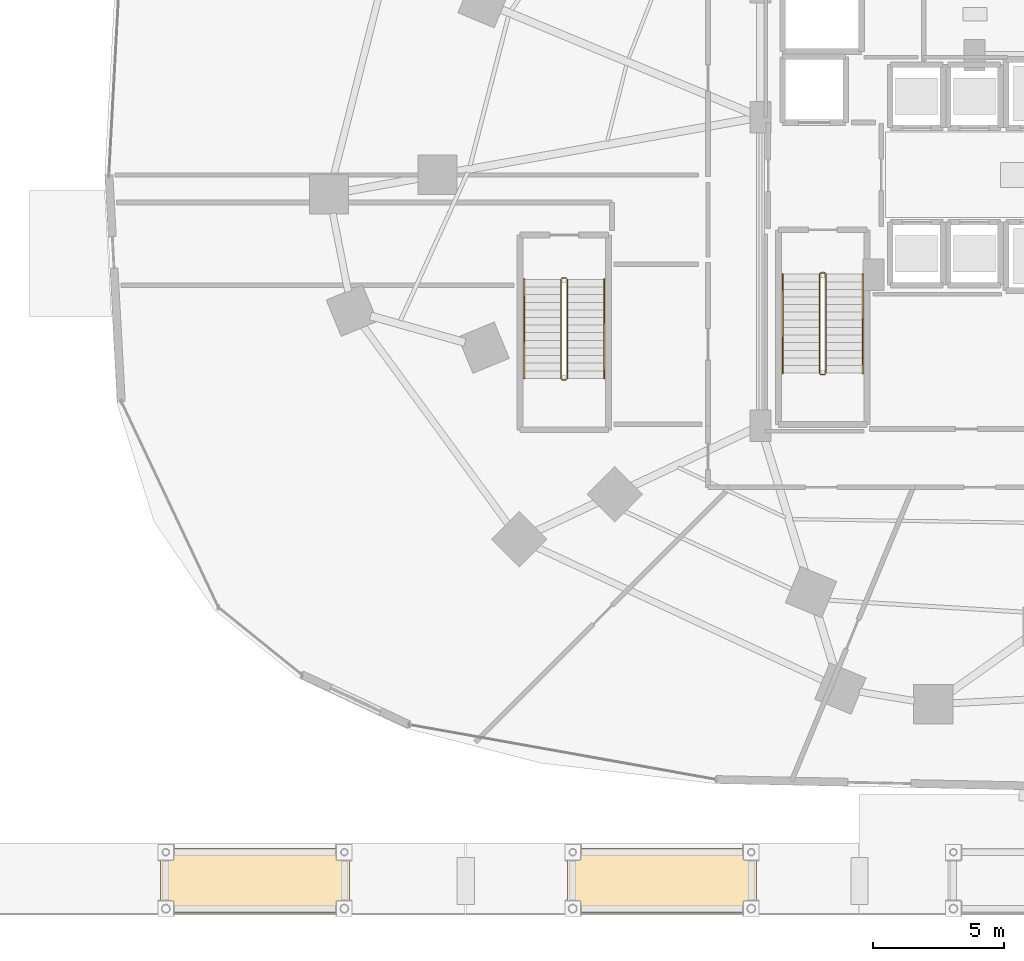
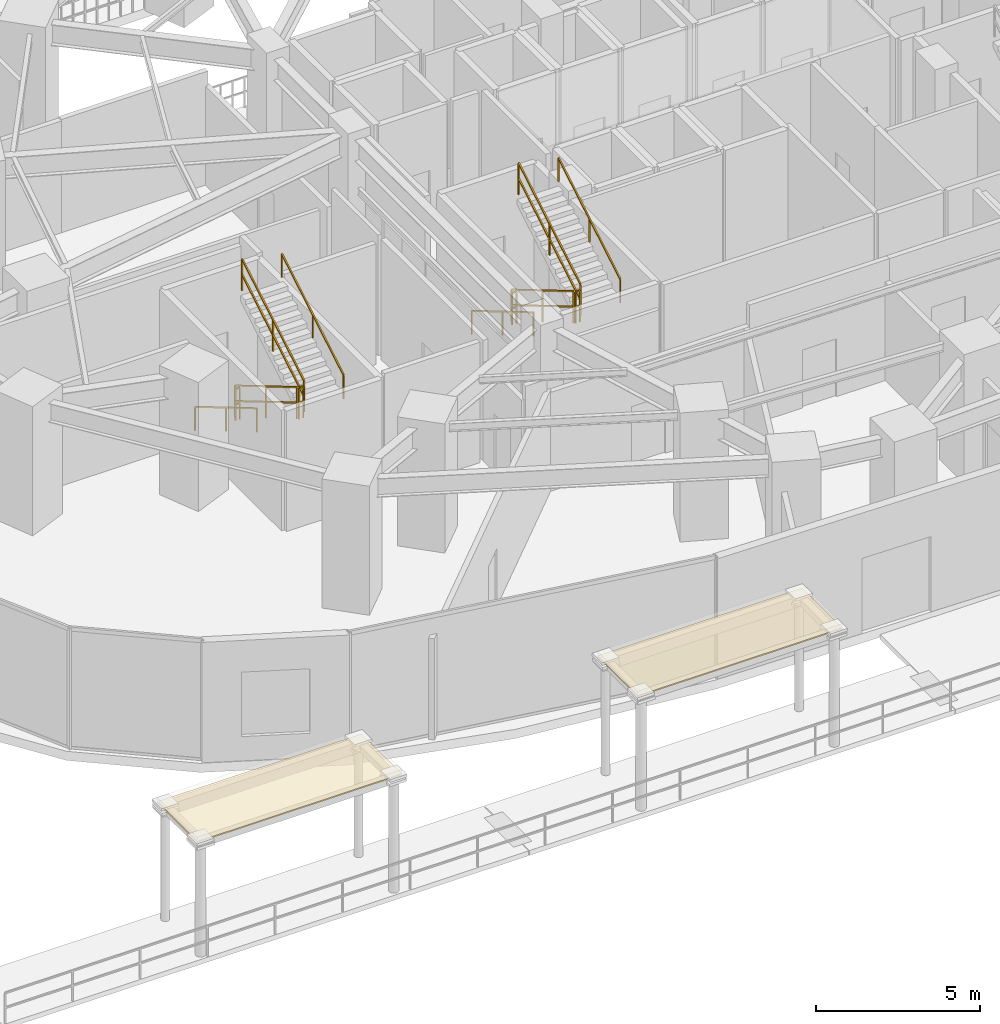
# One storey, part 32 of 36: 12 railings, 2 coverings.
"""IFC4 building model written with IfcOpenShell, lengths in metres."""

from ifc_helpers import new_model, si_unit, direction, frame, origin, origin_2d, place, context, subcontext, project, spatial, polyline, rectangle, outline, extrude, material, layer, layer_set, type_object, element, save


model = new_model("IFC4")

# Units and contexts
model_context = context("Model", 3, precision=1e-05, world=origin(), true_north=direction((0.0, 1.0)))
body_context = subcontext(model_context, "Body", "Model", "MODEL_VIEW")
ifc_project = project(units=[si_unit("LENGTHUNIT", "METRE"), si_unit("AREAUNIT", "SQUARE_METRE"), si_unit("VOLUMEUNIT", "CUBIC_METRE"), si_unit("PLANEANGLEUNIT", "RADIAN"), si_unit("MASSUNIT", "GRAM", prefix="KILO")], contexts=[model_context])

# Site, building, storey
site_placement = place(None, origin())
site = spatial("IfcSite", under=ifc_project, at=site_placement, CompositionType="ELEMENT")
building_placement = place(site_placement, origin())
building = spatial("IfcBuilding", under=site, at=building_placement, Name="Vorneva Point Tower", CompositionType="ELEMENT")
storey_placement = place(building_placement, origin())
storey = spatial("IfcBuildingStorey", under=building, at=storey_placement, Name="L00", CompositionType="ELEMENT", Elevation=0.0)

# Coverings
ifc_material_1 = material(Name="Pale anodised aluminium", Category="aluminium")
ifc_layer = layer(ifc_material_1, 0.030029296875)
ifc_layer_set = layer_set([ifc_layer], Name="Pale anodised aluminium")
covering_type = type_object("IfcCoveringType", Name="COV-SOF-ALU", PredefinedType="CLADDING", material=ifc_layer_set)
covering_1_placement = place(storey_placement, frame((0.0, 0.0, 4.300048828125)))
element("IfcCovering", 1, at=covering_1_placement, inside=storey, type_object=covering_type, Name="Waterfront Canopy Pale-Aluminium Soffit 01", PredefinedType="CLADDING", context=body_context, shape_type="SweptSolid", body=[
    extrude(outline(polyline([(4.39990234375, -2.10009765625), (11.60009765625, -2.10009765625), (11.60009765625, 0.35009765625), (4.39990234375, 0.35009765625), (4.39990234375, -2.10009765625)])), origin(), (0.0, 0.0, 1.0), 0.050048828125),
])
covering_2_placement = place(storey_placement, frame((0.0, 0.0, 4.300048828125)))
element("IfcCovering", 2, at=covering_2_placement, inside=storey, type_object=covering_type, Name="Waterfront Canopy Pale-Aluminium Soffit 02", PredefinedType="CLADDING", context=body_context, shape_type="SweptSolid", body=[
    extrude(outline(polyline([(19.89990234375, -2.10009765625), (27.10009765625, -2.10009765625), (27.10009765625, 0.35009765625), (19.89990234375, 0.35009765625), (19.89990234375, -2.10009765625)])), origin(), (0.0, 0.0, 1.0), 0.050048828125),
])

# Railings
ifc_material_2 = material(Name="Brushed stainless steel S304", Category="steel")
railing_type_1 = type_object("IfcRailingType", Name="RL-HND-920", PredefinedType="HANDRAIL", material=ifc_material_2)
railing_1_placement = place(storey_placement, frame((28.10009765625, 22.219970703125, 0.17138671875)))
element("IfcRailing", 3, at=railing_1_placement, inside=storey, type_object=railing_type_1, Name="L00 ST1 stair handrail 1", PredefinedType="HANDRAIL", context=body_context, shape_type="SweptSolid", body=[
    extrude(rectangle(XDim=0.048095703125, YDim=0.048095703125, at=origin_2d()), frame((0.0, 0.0, 0.8759765625), z_axis=(0.0, -0.860848830602, 0.508860777473), x_axis=(1.0, 0.0, 0.0)), (0.0, 0.0, 1.0), 4.37939453125),
    extrude(rectangle(XDim=0.0419921875, YDim=0.0419921875, at=origin_2d()), origin(), (0.0, 0.0, 1.0), 0.851806640625),
    extrude(rectangle(XDim=0.0419921875, YDim=0.0419921875, at=origin_2d()), frame((0.0, -1.885009765625, 1.1142578125)), (0.0, 0.0, 1.0), 0.851806640625),
    extrude(rectangle(XDim=0.0419921875, YDim=0.0419921875, at=origin_2d()), frame((0.0, -3.77001953125, 2.228515625)), (0.0, 0.0, 1.0), 0.851806640625),
])
railing_2_placement = place(storey_placement, frame((31.14990234375, 18.449951171875, 2.571533203125)))
element("IfcRailing", 4, at=railing_2_placement, inside=storey, type_object=railing_type_1, Name="L00 ST1 stair handrail 2", PredefinedType="HANDRAIL", context=body_context, shape_type="SweptSolid", body=[
    extrude(rectangle(XDim=0.048095703125, YDim=0.048095703125, at=origin_2d()), frame((0.0, 0.0, 0.8759765625), z_axis=(0.0, 0.860848830602, 0.508860777473), x_axis=(-1.0, 0.0, 0.0)), (0.0, 0.0, 1.0), 4.37939453125),
    extrude(rectangle(XDim=0.0419921875, YDim=0.0419921875, at=origin_2d()), origin(), (0.0, 0.0, 1.0), 0.851806640625),
    extrude(rectangle(XDim=0.0419921875, YDim=0.0419921875, at=origin_2d()), frame((0.0, 1.885009765625, 1.1142578125)), (0.0, 0.0, 1.0), 0.851806640625),
    extrude(rectangle(XDim=0.0419921875, YDim=0.0419921875, at=origin_2d()), frame((0.0, 3.77001953125, 2.228515625)), (0.0, 0.0, 1.0), 0.851806640625),
])
railing_3_placement = place(storey_placement, frame((18.25, 22.02001953125, 0.17138671875)))
element("IfcRailing", 5, at=railing_3_placement, inside=storey, type_object=railing_type_1, Name="L00 ST3 stair handrail 1", PredefinedType="HANDRAIL", context=body_context, shape_type="SweptSolid", body=[
    extrude(rectangle(XDim=0.048095703125, YDim=0.048095703125, at=origin_2d()), frame((0.0, 0.0, 0.8759765625), z_axis=(0.0, -0.860848830602, 0.508860777473), x_axis=(1.0, 0.0, 0.0)), (0.0, 0.0, 1.0), 4.37939453125),
    extrude(rectangle(XDim=0.0419921875, YDim=0.0419921875, at=origin_2d()), origin(), (0.0, 0.0, 1.0), 0.851806640625),
    extrude(rectangle(XDim=0.0419921875, YDim=0.0419921875, at=origin_2d()), frame((0.0, -1.885009765625, 1.1142578125)), (0.0, 0.0, 1.0), 0.851806640625),
    extrude(rectangle(XDim=0.0419921875, YDim=0.0419921875, at=origin_2d()), frame((0.0, -3.77001953125, 2.228515625)), (0.0, 0.0, 1.0), 0.851806640625),
])
railing_4_placement = place(storey_placement, frame((21.300048828125, 18.25, 2.571533203125)))
element("IfcRailing", 6, at=railing_4_placement, inside=storey, type_object=railing_type_1, Name="L00 ST3 stair handrail 2", PredefinedType="HANDRAIL", context=body_context, shape_type="SweptSolid", body=[
    extrude(rectangle(XDim=0.048095703125, YDim=0.048095703125, at=origin_2d()), frame((0.0, 0.0, 0.8759765625), z_axis=(0.0, 0.860848830602, 0.508860777473), x_axis=(-1.0, 0.0, 0.0)), (0.0, 0.0, 1.0), 4.37939453125),
    extrude(rectangle(XDim=0.0419921875, YDim=0.0419921875, at=origin_2d()), origin(), (0.0, 0.0, 1.0), 0.851806640625),
    extrude(rectangle(XDim=0.0419921875, YDim=0.0419921875, at=origin_2d()), frame((0.0, 1.885009765625, 1.1142578125)), (0.0, 0.0, 1.0), 0.851806640625),
    extrude(rectangle(XDim=0.0419921875, YDim=0.0419921875, at=origin_2d()), frame((0.0, 3.77001953125, 2.228515625)), (0.0, 0.0, 1.0), 0.851806640625),
])
railing_type_2 = type_object("IfcRailingType", Name="RL-STG-1100", PredefinedType="GUARDRAIL", material=ifc_material_2)
railing_5_placement = place(storey_placement, frame((29.5, 22.219970703125, 0.17138671875)))
element("IfcRailing", 7, at=railing_5_placement, inside=storey, type_object=railing_type_2, Name="L00 ST1 stair guard 1", PredefinedType="GUARDRAIL", context=body_context, shape_type="SweptSolid", body=[
    extrude(rectangle(XDim=0.048095703125, YDim=0.048095703125, at=origin_2d()), frame((0.0, 0.0, 1.17578125), z_axis=(0.0, -0.860848830602, 0.508860777473), x_axis=(1.0, 0.0, 0.0)), (0.0, 0.0, 1.0), 4.37939453125),
    extrude(rectangle(XDim=0.048095703125, YDim=0.048095703125, at=origin_2d()), frame((0.0, 0.0, 0.60009765625), z_axis=(0.0, -0.860848830602, 0.508860777473), x_axis=(1.0, 0.0, 0.0)), (0.0, 0.0, 1.0), 4.37939453125),
    extrude(rectangle(XDim=0.0419921875, YDim=0.0419921875, at=origin_2d()), origin(), (0.0, 0.0, 1.0), 1.15185546875),
    extrude(rectangle(XDim=0.0419921875, YDim=0.0419921875, at=origin_2d()), frame((0.0, -1.885009765625, 1.1142578125)), (0.0, 0.0, 1.0), 1.15185546875),
    extrude(rectangle(XDim=0.0419921875, YDim=0.0419921875, at=origin_2d()), frame((0.0, -3.77001953125, 2.228515625)), (0.0, 0.0, 1.0), 1.15185546875),
])
railing_6_placement = place(storey_placement, frame((29.550048828125, 18.39990234375, 2.39990234375)))
element("IfcRailing", 8, at=railing_6_placement, inside=storey, type_object=railing_type_2, Name="L00 ST1 stair guard 2", PredefinedType="GUARDRAIL", context=body_context, shape_type="SweptSolid", body=[
    extrude(rectangle(XDim=0.048095703125, YDim=0.048095703125, at=origin_2d()), frame((0.0, 0.0, 1.17578125), z_axis=(1.0, 0.0, 0.0), x_axis=(0.0, 1.0, 0.0)), (0.0, 0.0, 1.0), 0.14990234375),
    extrude(rectangle(XDim=0.048095703125, YDim=0.048095703125, at=origin_2d()), frame((0.0, 0.0, 0.60009765625), z_axis=(1.0, 0.0, 0.0), x_axis=(0.0, 1.0, 0.0)), (0.0, 0.0, 1.0), 0.14990234375),
    extrude(rectangle(XDim=0.0419921875, YDim=0.0419921875, at=origin_2d()), origin(), (0.0, 0.0, 1.0), 1.15185546875),
    extrude(rectangle(XDim=0.0419921875, YDim=0.0419921875, at=origin_2d()), frame((0.14990234375, 0.0, 0.0)), (0.0, 0.0, 1.0), 1.15185546875),
])
railing_7_placement = place(storey_placement, frame((29.75, 18.449951171875, 2.571533203125)))
element("IfcRailing", 9, at=railing_7_placement, inside=storey, type_object=railing_type_2, Name="L00 ST1 stair guard 3", PredefinedType="GUARDRAIL", context=body_context, shape_type="SweptSolid", body=[
    extrude(rectangle(XDim=0.048095703125, YDim=0.048095703125, at=origin_2d()), frame((0.0, 0.0, 1.17578125), z_axis=(0.0, 0.860848830602, 0.508860777473), x_axis=(-1.0, 0.0, 0.0)), (0.0, 0.0, 1.0), 4.37939453125),
    extrude(rectangle(XDim=0.048095703125, YDim=0.048095703125, at=origin_2d()), frame((0.0, 0.0, 0.60009765625), z_axis=(0.0, 0.860848830602, 0.508860777473), x_axis=(-1.0, 0.0, 0.0)), (0.0, 0.0, 1.0), 4.37939453125),
    extrude(rectangle(XDim=0.0419921875, YDim=0.0419921875, at=origin_2d()), origin(), (0.0, 0.0, 1.0), 1.15185546875),
    extrude(rectangle(XDim=0.0419921875, YDim=0.0419921875, at=origin_2d()), frame((0.0, 1.885009765625, 1.1142578125)), (0.0, 0.0, 1.0), 1.15185546875),
    extrude(rectangle(XDim=0.0419921875, YDim=0.0419921875, at=origin_2d()), frame((0.0, 3.77001953125, 2.228515625)), (0.0, 0.0, 1.0), 1.15185546875),
])
railing_8_placement = place(storey_placement, frame((29.550048828125, 22.27001953125, 0.0)))
element("IfcRailing", 10, at=railing_8_placement, inside=storey, type_object=railing_type_2, Name="L00 ST1 stair guard 4", PredefinedType="GUARDRAIL", context=body_context, shape_type="SweptSolid", body=[
    extrude(rectangle(XDim=0.048095703125, YDim=0.048095703125, at=origin_2d()), frame((0.0, 0.0, 1.17578125), z_axis=(1.0, 0.0, 0.0), x_axis=(0.0, 1.0, 0.0)), (0.0, 0.0, 1.0), 0.14990234375),
    extrude(rectangle(XDim=0.048095703125, YDim=0.048095703125, at=origin_2d()), frame((0.0, 0.0, 0.60009765625), z_axis=(1.0, 0.0, 0.0), x_axis=(0.0, 1.0, 0.0)), (0.0, 0.0, 1.0), 0.14990234375),
    extrude(rectangle(XDim=0.0419921875, YDim=0.0419921875, at=origin_2d()), origin(), (0.0, 0.0, 1.0), 1.15185546875),
    extrude(rectangle(XDim=0.0419921875, YDim=0.0419921875, at=origin_2d()), frame((0.14990234375, 0.0, 0.0)), (0.0, 0.0, 1.0), 1.15185546875),
])
railing_9_placement = place(storey_placement, frame((19.64990234375, 22.02001953125, 0.17138671875)))
element("IfcRailing", 11, at=railing_9_placement, inside=storey, type_object=railing_type_2, Name="L00 ST3 stair guard 1", PredefinedType="GUARDRAIL", context=body_context, shape_type="SweptSolid", body=[
    extrude(rectangle(XDim=0.048095703125, YDim=0.048095703125, at=origin_2d()), frame((0.0, 0.0, 1.17578125), z_axis=(0.0, -0.860848830602, 0.508860777473), x_axis=(1.0, 0.0, 0.0)), (0.0, 0.0, 1.0), 4.37939453125),
    extrude(rectangle(XDim=0.048095703125, YDim=0.048095703125, at=origin_2d()), frame((0.0, 0.0, 0.60009765625), z_axis=(0.0, -0.860848830602, 0.508860777473), x_axis=(1.0, 0.0, 0.0)), (0.0, 0.0, 1.0), 4.37939453125),
    extrude(rectangle(XDim=0.0419921875, YDim=0.0419921875, at=origin_2d()), origin(), (0.0, 0.0, 1.0), 1.15185546875),
    extrude(rectangle(XDim=0.0419921875, YDim=0.0419921875, at=origin_2d()), frame((0.0, -1.885009765625, 1.1142578125)), (0.0, 0.0, 1.0), 1.15185546875),
    extrude(rectangle(XDim=0.0419921875, YDim=0.0419921875, at=origin_2d()), frame((0.0, -3.77001953125, 2.228515625)), (0.0, 0.0, 1.0), 1.15185546875),
])
railing_10_placement = place(storey_placement, frame((19.699951171875, 18.199951171875, 2.39990234375)))
element("IfcRailing", 12, at=railing_10_placement, inside=storey, type_object=railing_type_2, Name="L00 ST3 stair guard 2", PredefinedType="GUARDRAIL", context=body_context, shape_type="SweptSolid", body=[
    extrude(rectangle(XDim=0.048095703125, YDim=0.048095703125, at=origin_2d()), frame((0.0, 0.0, 1.17578125), z_axis=(1.0, 0.0, 0.0), x_axis=(0.0, 1.0, 0.0)), (0.0, 0.0, 1.0), 0.150146484375),
    extrude(rectangle(XDim=0.048095703125, YDim=0.048095703125, at=origin_2d()), frame((0.0, 0.0, 0.60009765625), z_axis=(1.0, 0.0, 0.0), x_axis=(0.0, 1.0, 0.0)), (0.0, 0.0, 1.0), 0.150146484375),
    extrude(rectangle(XDim=0.0419921875, YDim=0.0419921875, at=origin_2d()), origin(), (0.0, 0.0, 1.0), 1.15185546875),
    extrude(rectangle(XDim=0.0419921875, YDim=0.0419921875, at=origin_2d()), frame((0.150146484375, 0.0, 0.0)), (0.0, 0.0, 1.0), 1.15185546875),
])
railing_11_placement = place(storey_placement, frame((19.89990234375, 18.25, 2.571533203125)))
element("IfcRailing", 13, at=railing_11_placement, inside=storey, type_object=railing_type_2, Name="L00 ST3 stair guard 3", PredefinedType="GUARDRAIL", context=body_context, shape_type="SweptSolid", body=[
    extrude(rectangle(XDim=0.048095703125, YDim=0.048095703125, at=origin_2d()), frame((0.0, 0.0, 1.17578125), z_axis=(0.0, 0.860848830602, 0.508860777473), x_axis=(-1.0, 0.0, 0.0)), (0.0, 0.0, 1.0), 4.37939453125),
    extrude(rectangle(XDim=0.048095703125, YDim=0.048095703125, at=origin_2d()), frame((0.0, 0.0, 0.60009765625), z_axis=(0.0, 0.860848830602, 0.508860777473), x_axis=(-1.0, 0.0, 0.0)), (0.0, 0.0, 1.0), 4.37939453125),
    extrude(rectangle(XDim=0.0419921875, YDim=0.0419921875, at=origin_2d()), origin(), (0.0, 0.0, 1.0), 1.15185546875),
    extrude(rectangle(XDim=0.0419921875, YDim=0.0419921875, at=origin_2d()), frame((0.0, 1.885009765625, 1.1142578125)), (0.0, 0.0, 1.0), 1.15185546875),
    extrude(rectangle(XDim=0.0419921875, YDim=0.0419921875, at=origin_2d()), frame((0.0, 3.77001953125, 2.228515625)), (0.0, 0.0, 1.0), 1.15185546875),
])
railing_12_placement = place(storey_placement, frame((19.699951171875, 22.070068359375, 0.0)))
element("IfcRailing", 14, at=railing_12_placement, inside=storey, type_object=railing_type_2, Name="L00 ST3 stair guard 4", PredefinedType="GUARDRAIL", context=body_context, shape_type="SweptSolid", body=[
    extrude(rectangle(XDim=0.048095703125, YDim=0.048095703125, at=origin_2d()), frame((0.0, 0.0, 1.17578125), z_axis=(1.0, 0.0, 0.0), x_axis=(0.0, 1.0, 0.0)), (0.0, 0.0, 1.0), 0.150146484375),
    extrude(rectangle(XDim=0.048095703125, YDim=0.048095703125, at=origin_2d()), frame((0.0, 0.0, 0.60009765625), z_axis=(1.0, 0.0, 0.0), x_axis=(0.0, 1.0, 0.0)), (0.0, 0.0, 1.0), 0.150146484375),
    extrude(rectangle(XDim=0.0419921875, YDim=0.0419921875, at=origin_2d()), origin(), (0.0, 0.0, 1.0), 1.15185546875),
    extrude(rectangle(XDim=0.0419921875, YDim=0.0419921875, at=origin_2d()), frame((0.150146484375, 0.0, 0.0)), (0.0, 0.0, 1.0), 1.15185546875),
])

save(model, "model.ifc")
